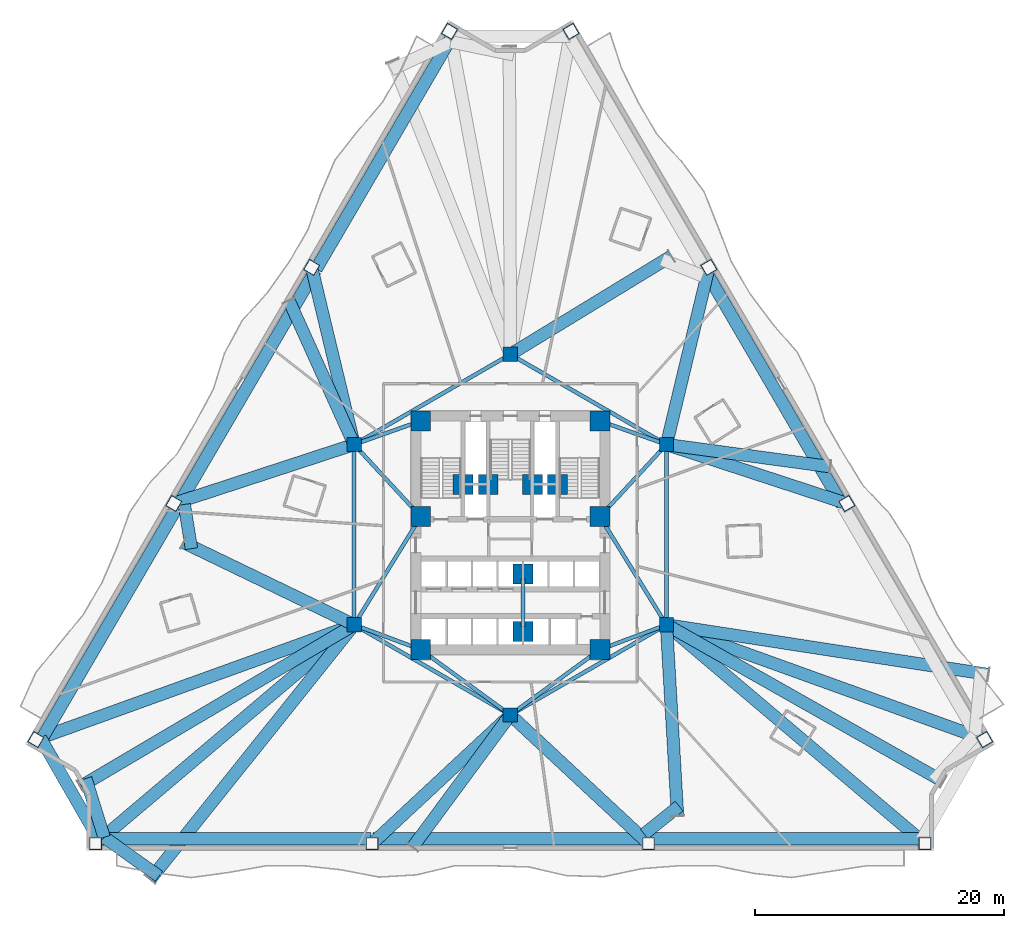
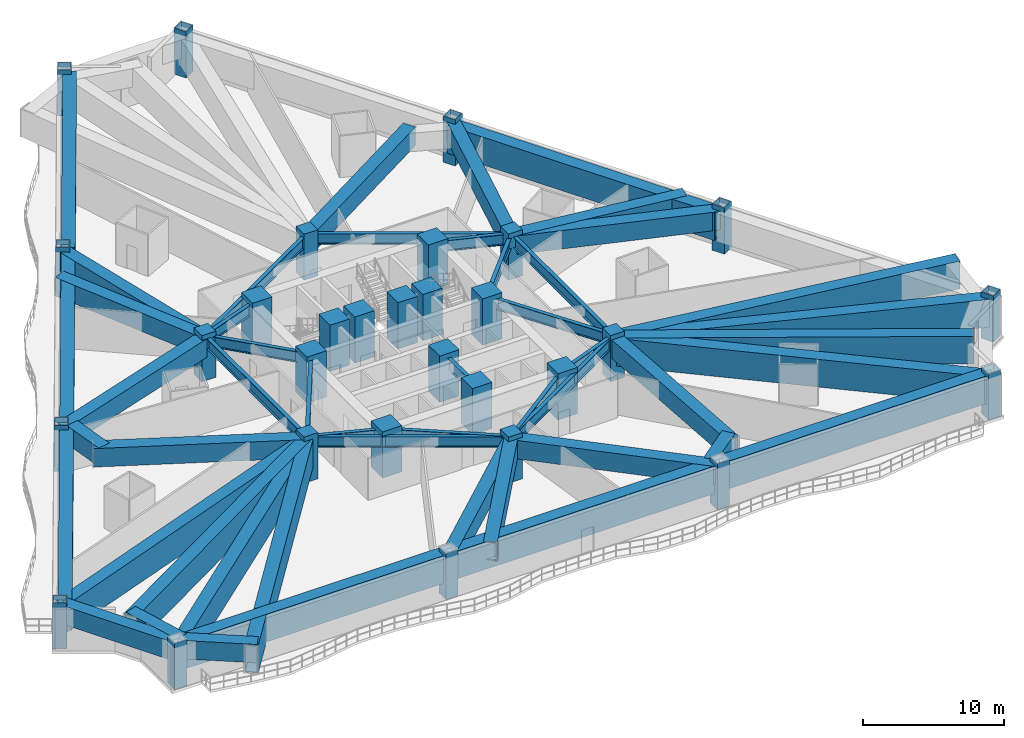
# One storey, part 1 of 16: 49 beams, 30 columns.
"""IFC4 building model written with IfcOpenShell, lengths in metres."""

from ifc_helpers import new_model, si_unit, direction, frame, origin, origin_2d, place, context, subcontext, project, spatial, rectangle, hollow_rectangle, i_section, extrude, material, material_profile, profile_set, type_object, element, save


model = new_model("IFC4")

# Units and contexts
model_context = context("Model", 3, precision=1e-05, world=origin(), true_north=direction((0.0, 1.0)))
body_context = subcontext(model_context, "Body", "Model", "MODEL_VIEW")
ifc_project = project(units=[si_unit("LENGTHUNIT", "METRE"), si_unit("AREAUNIT", "SQUARE_METRE"), si_unit("VOLUMEUNIT", "CUBIC_METRE"), si_unit("PLANEANGLEUNIT", "RADIAN"), si_unit("MASSUNIT", "GRAM", prefix="KILO")], contexts=[model_context])

# Site, building, storey
site_placement = place(None, origin())
site = spatial("IfcSite", under=ifc_project, at=site_placement, CompositionType="ELEMENT")
building_placement = place(site_placement, origin())
building = spatial("IfcBuilding", under=site, at=building_placement, Name="Apsidion Concourse Tower", CompositionType="ELEMENT")
storey_placement = place(building_placement, frame((0.0, 0.0, 58.39990234375)))
storey = spatial("IfcBuildingStorey", under=building, at=storey_placement, Name="L12", CompositionType="ELEMENT", Elevation=58.39990234375)

# Columns
ifc_material_1 = material(Name="Structural steel ASTM A572 Grade 50", Category="steel")
ifc_material_profile_1 = material_profile(ifc_material_1, hollow_rectangle(XDim=1.0, YDim=1.0, WallThickness=0.06005859375, at=origin_2d()), Name="BOX1000X1000X60")
ifc_profile_set_1 = profile_set([ifc_material_profile_1], Name="Structural steel ASTM A572 Grade 50")
column_type_1 = type_object("IfcColumnType", Name="COL-BOX-1000", PredefinedType="COLUMN", material=ifc_profile_set_1)
for number, where, z_axis, x_axis, name in (
    (1, (-4.887451171875, 40.481201171875, 0.0), (0.0, 0.0, 1.0), (0.50437692518, 0.863483594138, 0.0), "L12 Rotated Perimeter Column PC01"),
    (2, (-15.976318359375, 21.49365234375, 0.0), (0.0, 0.0, 1.0), (0.50437692518, 0.863483594138, 0.0), "L12 Rotated Perimeter Column PC02"),
    (3, (-27.065185546875, 2.50634765625, 0.0), (0.0, 0.0, 1.0), (0.50437692518, 0.863483594138, 0.0), "L12 Rotated Perimeter Column PC03"),
    (4, (-38.154052734375, -16.481201171875, 0.0), (0.0, 0.0, 1.0), (0.50437692518, 0.863483594138, 0.0), "L12 Rotated Perimeter Column PC04"),
    (5, (-33.35009765625, -24.85009765625, 0.0), (0.0, 0.0, 1.0), (1.0, 0.0, 0.0), "L12 Rotated Perimeter Column PC05"),
    (6, (-11.11669921875, -24.85009765625, 0.0), (0.0, 0.0, 1.0), (1.0, 0.0, 0.0), "L12 Rotated Perimeter Column PC06"),
    (7, (11.11669921875, -24.85009765625, 0.0), (0.0, 0.0, 1.0), (1.0, 0.0, 0.0), "L12 Rotated Perimeter Column PC07"),
    (8, (33.35009765625, -24.85009765625, 0.0), (0.0, 0.0, 1.0), (1.0, 0.0, 0.0), "L12 Rotated Perimeter Column PC08"),
    (9, (38.154052734375, -16.481201171875, 0.0), (0.0, 0.0, 1.0), (-0.50437692518, 0.863483594138, 0.0), "L12 Rotated Perimeter Column PC09"),
    (10, (27.065185546875, 2.50634765625, 0.0), (0.0, 0.0, 1.0), (-0.50437692518, 0.863483594138, 0.0), "L12 Rotated Perimeter Column PC10"),
    (11, (15.976318359375, 21.49365234375, 0.0), (0.0, 0.0, 1.0), (-0.50437692518, 0.863483594138, 0.0), "L12 Rotated Perimeter Column PC11"),
    (12, (4.887451171875, 40.481201171875, 0.0), (0.0, 0.0, 1.0), (-0.50437692518, 0.863483594138, 0.0), "L12 Rotated Perimeter Column PC12"),
):
    element("IfcColumn", number, at=place(storey_placement, frame(where, z_axis=z_axis, x_axis=x_axis)), inside=storey, type_object=column_type_1, Name=name, PredefinedType="COLUMN", context=body_context, shape_type="SweptSolid", body=[
        extrude(hollow_rectangle(XDim=1.0, YDim=1.0, WallThickness=0.06005859375, at=origin_2d()), origin(), (0.0, 0.0, 1.0), 4.0),
    ])
ifc_material_2 = material(Name="Concrete C50/60", Category="concrete")
ifc_material_profile_2 = material_profile(ifc_material_2, rectangle(XDim=1.14990234375, YDim=1.14990234375, at=origin_2d()), Name="RC 1150x1150")
ifc_profile_set_2 = profile_set([ifc_material_profile_2], Name="Concrete C50/60")
column_type_2 = type_object("IfcColumnType", Name="COL-RC-1150", PredefinedType="COLUMN", material=ifc_profile_set_2)
for number, where, z_axis, x_axis, name in (
    (13, (-12.56005859375, -7.25, 0.0), (0.0, 0.0, 1.0), (1.0, 0.0, 0.0), "L12 Interior Spine Column IC1"),
    (14, (12.56005859375, -7.25, 0.0), (0.0, 0.0, 1.0), (1.0, 0.0, 0.0), "L12 Interior Spine Column IC2"),
    (15, (12.56005859375, 7.25, 0.0), (0.0, 0.0, 1.0), (1.0, 0.0, 0.0), "L12 Interior Spine Column IC3"),
    (16, (0.0, 14.5, 0.0), (0.0, 0.0, 1.0), (1.0, 0.0, 0.0), "L12 Interior Spine Column IC4"),
    (17, (-12.56005859375, 7.25, 0.0), (0.0, 0.0, 1.0), (1.0, 0.0, 0.0), "L12 Interior Spine Column IC5"),
    (18, (0.0, -14.5, 0.0), (0.0, 0.0, 1.0), (1.0, 0.0, 0.0), "L12 Interior Spine Column IC6"),
):
    element("IfcColumn", number, at=place(storey_placement, frame(where, z_axis=z_axis, x_axis=x_axis)), inside=storey, type_object=column_type_2, Name=name, PredefinedType="COLUMN", context=body_context, shape_type="SweptSolid", body=[
        extrude(rectangle(XDim=1.14990234375, YDim=1.14990234375, at=origin_2d()), origin(), (0.0, 0.0, 1.0), 4.0),
    ])
ifc_material_3 = material(Name="Concrete C60/75", Category="concrete")
ifc_material_profile_3 = material_profile(ifc_material_3, rectangle(XDim=1.60009765625, YDim=1.60009765625, at=origin_2d()), Name="RC 1600x1600")
ifc_profile_set_3 = profile_set([ifc_material_profile_3], Name="Concrete C60/75")
column_type_3 = type_object("IfcColumnType", Name="COL-RC-1600", PredefinedType="COLUMN", material=ifc_profile_set_3)
for number, where, z_axis, x_axis, name in (
    (19, (-7.199951171875, -9.25, 0.0), (0.0, 0.0, 1.0), (1.0, 0.0, 0.0), "L12 Core Super-Column SC1"),
    (20, (7.199951171875, -9.25, 0.0), (0.0, 0.0, 1.0), (1.0, 0.0, 0.0), "L12 Core Super-Column SC2"),
    (21, (7.199951171875, 1.449951171875, 0.0), (0.0, 0.0, 1.0), (1.0, 0.0, 0.0), "L12 Core Super-Column SC3"),
    (22, (7.199951171875, 9.14990234375, 0.0), (0.0, 0.0, 1.0), (1.0, 0.0, 0.0), "L12 Core Super-Column SC4"),
    (23, (-7.199951171875, 9.14990234375, 0.0), (0.0, 0.0, 1.0), (1.0, 0.0, 0.0), "L12 Core Super-Column SC5"),
    (24, (-7.199951171875, 1.449951171875, 0.0), (0.0, 0.0, 1.0), (1.0, 0.0, 0.0), "L12 Core Super-Column SC6"),
    (25, (-3.800048828125, 4.050048828125, 0.0), (0.0, 0.0, 1.0), (1.0, 0.0, 0.0), "L12 Core Super-Column CC1"),
    (26, (3.800048828125, 4.050048828125, 0.0), (0.0, 0.0, 1.0), (1.0, 0.0, 0.0), "L12 Core Super-Column CC2"),
    (27, (-1.77490234375, 4.050048828125, 0.0), (0.0, 0.0, 1.0), (1.0, 0.0, 0.0), "L12 Core Super-Column CC3"),
    (28, (1.77490234375, 4.050048828125, 0.0), (0.0, 0.0, 1.0), (1.0, 0.0, 0.0), "L12 Core Super-Column CC4"),
    (29, (1.02490234375, -3.14990234375, 0.0), (0.0, 0.0, 1.0), (1.0, 0.0, 0.0), "L12 Core Super-Column CC5"),
    (30, (1.02490234375, -7.800048828125, 0.0), (0.0, 0.0, 1.0), (1.0, 0.0, 0.0), "L12 Core Super-Column CC6"),
):
    element("IfcColumn", number, at=place(storey_placement, frame(where, z_axis=z_axis, x_axis=x_axis)), inside=storey, type_object=column_type_3, Name=name, PredefinedType="COLUMN", context=body_context, shape_type="SweptSolid", body=[
        extrude(rectangle(XDim=1.60009765625, YDim=1.60009765625, at=origin_2d()), origin(), (0.0, 0.0, 1.0), 4.0),
    ])

# Beams
ifc_material_4 = material(Name="Structural steel ASTM A992 Grade 50", Category="steel")
ifc_material_profile_4 = material_profile(ifc_material_4, i_section(OverallWidth=0.31005859375, OverallDepth=0.931884765625, WebThickness=0.02099609375, FlangeThickness=0.034423828125, at=origin_2d()), Name="W36X210")
ifc_profile_set_4 = profile_set([ifc_material_profile_4], Name="Structural steel ASTM A992 Grade 50")
beam_type_1 = type_object("IfcBeamType", Name="BM-G-W36", PredefinedType="USERDEFINED", material=ifc_profile_set_4)
beam_1_placement = place(storey_placement, frame((-12.185302734375, -7.389892578125, 3.134033203125), z_axis=(0.936913021145, -0.349562570664, 0.0), x_axis=(0.349562570664, 0.936913021145, 0.0)))
element("IfcBeam", 31, at=beam_1_placement, inside=storey, type_object=beam_type_1, Name="L12 Core Coupling Girder IC1-SC1", ObjectType="GIRDER", PredefinedType="USERDEFINED", context=body_context, shape_type="SweptSolid", body=[
    extrude(i_section(OverallWidth=0.31005859375, OverallDepth=0.931884765625, WebThickness=0.02099609375, FlangeThickness=0.034423828125, at=origin_2d()), origin(), (0.0, 0.0, 1.0), 4.921142578125),
])
beam_2_placement = place(storey_placement, frame((-12.35009765625, -6.909423828125, 3.134033203125), z_axis=(0.524524009763, 0.851395656074, 0.0), x_axis=(-0.851395656074, 0.524524009763, 0.0)))
element("IfcBeam", 32, at=beam_2_placement, inside=storey, type_object=beam_type_1, Name="L12 Core Coupling Girder IC1-SC6", ObjectType="GIRDER", PredefinedType="USERDEFINED", context=body_context, shape_type="SweptSolid", body=[
    extrude(i_section(OverallWidth=0.31005859375, OverallDepth=0.931884765625, WebThickness=0.02099609375, FlangeThickness=0.034423828125, at=origin_2d()), origin(), (0.0, 0.0, 1.0), 9.41845703125),
])
beam_3_placement = place(storey_placement, frame((12.185302734375, -7.389892578125, 3.134033203125), z_axis=(-0.936913021145, -0.349562570664, 0.0), x_axis=(0.349562570664, -0.936913021145, 0.0)))
element("IfcBeam", 33, at=beam_3_placement, inside=storey, type_object=beam_type_1, Name="L12 Core Coupling Girder IC2-SC2", ObjectType="GIRDER", PredefinedType="USERDEFINED", context=body_context, shape_type="SweptSolid", body=[
    extrude(i_section(OverallWidth=0.31005859375, OverallDepth=0.931884765625, WebThickness=0.02099609375, FlangeThickness=0.034423828125, at=origin_2d()), origin(), (0.0, 0.0, 1.0), 4.921142578125),
])
beam_4_placement = place(storey_placement, frame((12.35009765625, -6.909423828125, 3.134033203125), z_axis=(-0.524524009763, 0.851395656074, 0.0), x_axis=(-0.851395656074, -0.524524009763, 0.0)))
element("IfcBeam", 34, at=beam_4_placement, inside=storey, type_object=beam_type_1, Name="L12 Core Coupling Girder IC2-SC3", ObjectType="GIRDER", PredefinedType="USERDEFINED", context=body_context, shape_type="SweptSolid", body=[
    extrude(i_section(OverallWidth=0.31005859375, OverallDepth=0.931884765625, WebThickness=0.02099609375, FlangeThickness=0.034423828125, at=origin_2d()), origin(), (0.0, 0.0, 1.0), 9.41845703125),
])
beam_5_placement = place(storey_placement, frame((12.28857421875, 6.956298828125, 3.134033203125), z_axis=(-0.678712876106, -0.73440372535, 0.0), x_axis=(0.73440372535, -0.678712876106, 0.0)))
element("IfcBeam", 35, at=beam_5_placement, inside=storey, type_object=beam_type_1, Name="L12 Core Coupling Girder IC3-SC3", ObjectType="GIRDER", PredefinedType="USERDEFINED", context=body_context, shape_type="SweptSolid", body=[
    extrude(i_section(OverallWidth=0.31005859375, OverallDepth=0.931884765625, WebThickness=0.02099609375, FlangeThickness=0.034423828125, at=origin_2d()), origin(), (0.0, 0.0, 1.0), 7.097412109375),
])
beam_6_placement = place(storey_placement, frame((12.18310546875, 7.383544921875, 3.134033203125), z_axis=(-0.942533844539, 0.334110688094, 0.0), x_axis=(-0.334110688094, -0.942533844539, 0.0)))
element("IfcBeam", 36, at=beam_6_placement, inside=storey, type_object=beam_type_1, Name="L12 Core Coupling Girder IC3-SC4", ObjectType="GIRDER", PredefinedType="USERDEFINED", context=body_context, shape_type="SweptSolid", body=[
    extrude(i_section(OverallWidth=0.31005859375, OverallDepth=0.931884765625, WebThickness=0.02099609375, FlangeThickness=0.034423828125, at=origin_2d()), origin(), (0.0, 0.0, 1.0), 4.886962890625),
])
beam_7_placement = place(storey_placement, frame((-12.28857421875, 6.956298828125, 3.134033203125), z_axis=(0.678712876106, -0.73440372535, 0.0), x_axis=(0.73440372535, 0.678712876106, 0.0)))
element("IfcBeam", 37, at=beam_7_placement, inside=storey, type_object=beam_type_1, Name="L12 Core Coupling Girder IC5-SC6", ObjectType="GIRDER", PredefinedType="USERDEFINED", context=body_context, shape_type="SweptSolid", body=[
    extrude(i_section(OverallWidth=0.31005859375, OverallDepth=0.931884765625, WebThickness=0.02099609375, FlangeThickness=0.034423828125, at=origin_2d()), origin(), (0.0, 0.0, 1.0), 7.097412109375),
])
beam_8_placement = place(storey_placement, frame((-12.18310546875, 7.383544921875, 3.134033203125), z_axis=(0.942533844539, 0.334110688094, 0.0), x_axis=(-0.334110688094, 0.942533844539, 0.0)))
element("IfcBeam", 38, at=beam_8_placement, inside=storey, type_object=beam_type_1, Name="L12 Core Coupling Girder IC5-SC5", ObjectType="GIRDER", PredefinedType="USERDEFINED", context=body_context, shape_type="SweptSolid", body=[
    extrude(i_section(OverallWidth=0.31005859375, OverallDepth=0.931884765625, WebThickness=0.02099609375, FlangeThickness=0.034423828125, at=origin_2d()), origin(), (0.0, 0.0, 1.0), 4.886962890625),
])
for number, where, z_axis, x_axis, name in (
    (39, (-0.3232421875, -14.264404296875, 3.134033203125), (-0.807993498909, 0.589191399905, 0.0), (-0.589191399905, -0.807993498909, 0.0), "L12 Core Coupling Girder IC6-SC1"),
    (40, (0.3232421875, -14.264404296875, 3.134033203125), (0.807993498909, 0.589191399905, 0.0), (-0.589191399905, 0.807993498909, 0.0), "L12 Core Coupling Girder IC6-SC2"),
):
    element("IfcBeam", number, at=place(storey_placement, frame(where, z_axis=z_axis, x_axis=x_axis)), inside=storey, type_object=beam_type_1, Name=name, ObjectType="GIRDER", PredefinedType="USERDEFINED", context=body_context, shape_type="SweptSolid", body=[
        extrude(i_section(OverallWidth=0.31005859375, OverallDepth=0.931884765625, WebThickness=0.02099609375, FlangeThickness=0.034423828125, at=origin_2d()), origin(), (0.0, 0.0, 1.0), 8.11083984375),
    ])
beam_9_placement = place(storey_placement, frame((-12.56005859375, -6.85009765625, 3.134033203125), z_axis=(0.0, 1.0, 0.0), x_axis=(-1.0, 0.0, 0.0)))
element("IfcBeam", 41, at=beam_9_placement, inside=storey, type_object=beam_type_1, Name="L12 Core Coupling Girder IC1-IC5", ObjectType="GIRDER", PredefinedType="USERDEFINED", context=body_context, shape_type="SweptSolid", body=[
    extrude(i_section(OverallWidth=0.31005859375, OverallDepth=0.931884765625, WebThickness=0.02099609375, FlangeThickness=0.034423828125, at=origin_2d()), origin(), (0.0, 0.0, 1.0), 13.7001953125),
])
for number, where, z_axis, x_axis, name in (
    (42, (-12.213623046875, 7.449951171875, 3.134033203125), (0.866070471464, 0.499921932364, 0.0), (-0.499921932364, 0.866070471464, 0.0), "L12 Core Coupling Girder IC5-IC4"),
    (43, (0.346435546875, 14.300048828125, 3.134033203125), (0.866070471464, -0.499921932364, 0.0), (0.499921932364, 0.866070471464, 0.0), "L12 Core Coupling Girder IC4-IC3"),
):
    element("IfcBeam", number, at=place(storey_placement, frame(where, z_axis=z_axis, x_axis=x_axis)), inside=storey, type_object=beam_type_1, Name=name, ObjectType="GIRDER", PredefinedType="USERDEFINED", context=body_context, shape_type="SweptSolid", body=[
        extrude(i_section(OverallWidth=0.31005859375, OverallDepth=0.931884765625, WebThickness=0.02099609375, FlangeThickness=0.034423828125, at=origin_2d()), origin(), (0.0, 0.0, 1.0), 13.702392578125),
    ])
beam_10_placement = place(storey_placement, frame((12.56005859375, 6.85009765625, 3.134033203125), z_axis=(0.0, -1.0, 0.0), x_axis=(1.0, 0.0, 0.0)))
element("IfcBeam", 44, at=beam_10_placement, inside=storey, type_object=beam_type_1, Name="L12 Core Coupling Girder IC3-IC2", ObjectType="GIRDER", PredefinedType="USERDEFINED", context=body_context, shape_type="SweptSolid", body=[
    extrude(i_section(OverallWidth=0.31005859375, OverallDepth=0.931884765625, WebThickness=0.02099609375, FlangeThickness=0.034423828125, at=origin_2d()), origin(), (0.0, 0.0, 1.0), 13.7001953125),
])
for number, where, z_axis, x_axis, name in (
    (45, (12.213623046875, -7.449951171875, 3.134033203125), (-0.866070471464, -0.499921932364, 0.0), (0.499921932364, -0.866070471464, 0.0), "L12 Core Coupling Girder IC2-IC6"),
    (46, (-0.346435546875, -14.300048828125, 3.134033203125), (-0.866070471464, 0.499921932364, 0.0), (-0.499921932364, -0.866070471464, 0.0), "L12 Core Coupling Girder IC6-IC1"),
):
    element("IfcBeam", number, at=place(storey_placement, frame(where, z_axis=z_axis, x_axis=x_axis)), inside=storey, type_object=beam_type_1, Name=name, ObjectType="GIRDER", PredefinedType="USERDEFINED", context=body_context, shape_type="SweptSolid", body=[
        extrude(i_section(OverallWidth=0.31005859375, OverallDepth=0.931884765625, WebThickness=0.02099609375, FlangeThickness=0.034423828125, at=origin_2d()), origin(), (0.0, 0.0, 1.0), 13.702392578125),
    ])
beam_11_placement = place(storey_placement, frame((1.02490234375, -3.550048828125, 3.134033203125), z_axis=(0.0, -1.0, 0.0), x_axis=(1.0, 0.0, 0.0)))
element("IfcBeam", 47, at=beam_11_placement, inside=storey, type_object=beam_type_1, Name="L12 Core Coupling Girder CC5-CC6", ObjectType="GIRDER", PredefinedType="USERDEFINED", context=body_context, shape_type="SweptSolid", body=[
    extrude(i_section(OverallWidth=0.31005859375, OverallDepth=0.931884765625, WebThickness=0.02099609375, FlangeThickness=0.034423828125, at=origin_2d()), origin(), (0.0, 0.0, 1.0), 3.849853515625),
])
ifc_material_profile_5 = material_profile(ifc_material_1, hollow_rectangle(XDim=1.0, YDim=1.60009765625, WallThickness=0.074951171875, at=origin_2d()), Name="BOX1600X1000X75")
ifc_profile_set_5 = profile_set([ifc_material_profile_5], Name="Structural steel ASTM A572 Grade 50")
beam_type_2 = type_object("IfcBeamType", Name="BM-TR-1600", PredefinedType="USERDEFINED", material=ifc_profile_set_5)
beam_12_placement = place(storey_placement, frame((-37.78466796875, -16.361328125, 2.800048828125), z_axis=(0.497847451586, -0.867264616452, 0.0), x_axis=(0.867264616452, 0.497847451586, 0.0)))
element("IfcBeam", 48, at=beam_12_placement, inside=storey, type_object=beam_type_2, Name="L12 Perimeter Spandrel Girder SP-04", ObjectType="GIRDER", PredefinedType="USERDEFINED", context=body_context, shape_type="SweptSolid", body=[
    extrude(hollow_rectangle(XDim=1.0, YDim=1.60009765625, WallThickness=0.074951171875, at=origin_2d()), origin(), (0.0, 0.0, 1.0), 9.489501953125),
])
beam_13_placement = place(storey_placement, frame((-12.611328125, 7.4638671875, 2.800048828125), z_axis=(-0.233222788681, 0.972423329029, 0.0), x_axis=(-0.972423329029, -0.233222788681, 0.0)))
element("IfcBeam", 49, at=beam_13_placement, inside=storey, type_object=beam_type_2, Name="L12 Radial Floor Girder RAD-02", ObjectType="GIRDER", PredefinedType="USERDEFINED", context=body_context, shape_type="SweptSolid", body=[
    extrude(hollow_rectangle(XDim=1.0, YDim=1.60009765625, WallThickness=0.074951171875, at=origin_2d()), origin(), (0.0, 0.0, 1.0), 14.32763671875),
])
beam_14_placement = place(storey_placement, frame((-12.76904296875, 7.181640625, 2.800048828125), z_axis=(-0.950463764957, -0.310835376853, 0.0), x_axis=(0.310835376853, -0.950463764957, 0.0)))
element("IfcBeam", 50, at=beam_14_placement, inside=storey, type_object=beam_type_2, Name="L12 Radial Floor Girder RAD-03", ObjectType="GIRDER", PredefinedType="USERDEFINED", context=body_context, shape_type="SweptSolid", body=[
    extrude(hollow_rectangle(XDim=1.0, YDim=1.60009765625, WallThickness=0.074951171875, at=origin_2d()), origin(), (0.0, 0.0, 1.0), 14.94140625),
])
for number, where, z_axis, x_axis, name in (
    (51, (-0.160888671875, -14.64990234375, 2.800048828125), (-0.731892844946, -0.681419741068, 0.0), (0.681419741068, -0.731892844946, 0.0), "L12 Radial Floor Girder RAD-06"),
    (52, (0.160888671875, -14.64990234375, 2.800048828125), (0.731892844946, -0.681419741068, 0.0), (0.681419741068, 0.731892844946, 0.0), "L12 Radial Floor Girder RAD-07"),
):
    element("IfcBeam", number, at=place(storey_placement, frame(where, z_axis=z_axis, x_axis=x_axis)), inside=storey, type_object=beam_type_2, Name=name, ObjectType="GIRDER", PredefinedType="USERDEFINED", context=body_context, shape_type="SweptSolid", body=[
        extrude(hollow_rectangle(XDim=1.0, YDim=1.60009765625, WallThickness=0.074951171875, at=origin_2d()), origin(), (0.0, 0.0, 1.0), 14.869140625),
    ])
beam_15_placement = place(storey_placement, frame((12.76904296875, 7.181640625, 2.800048828125), z_axis=(0.950463764957, -0.310835376853, 0.0), x_axis=(0.310835376853, 0.950463764957, 0.0)))
element("IfcBeam", 53, at=beam_15_placement, inside=storey, type_object=beam_type_2, Name="L12 Radial Floor Girder RAD-10", ObjectType="GIRDER", PredefinedType="USERDEFINED", context=body_context, shape_type="SweptSolid", body=[
    extrude(hollow_rectangle(XDim=1.0, YDim=1.60009765625, WallThickness=0.074951171875, at=origin_2d()), origin(), (0.0, 0.0, 1.0), 14.94140625),
])
beam_16_placement = place(storey_placement, frame((12.611328125, 7.4638671875, 2.800048828125), z_axis=(0.233222788681, 0.972423329029, 0.0), x_axis=(-0.972423329029, 0.233222788681, 0.0)))
element("IfcBeam", 54, at=beam_16_placement, inside=storey, type_object=beam_type_2, Name="L12 Radial Floor Girder RAD-11", ObjectType="GIRDER", PredefinedType="USERDEFINED", context=body_context, shape_type="SweptSolid", body=[
    extrude(hollow_rectangle(XDim=1.0, YDim=1.60009765625, WallThickness=0.074951171875, at=origin_2d()), origin(), (0.0, 0.0, 1.0), 14.32763671875),
])
beam_17_placement = place(storey_placement, frame((-12.68359375, 7.523193359375, 2.800048828125), z_axis=(-0.412236399188, 0.911076918369, 0.0), x_axis=(-0.911076918369, -0.412236399188, 0.0)))
element("IfcBeam", 55, at=beam_17_placement, inside=storey, type_object=beam_type_2, Name="L12 Block-Step Radial Transfer Girder NTR-02", ObjectType="GIRDER", PredefinedType="USERDEFINED", context=body_context, shape_type="SweptSolid", body=[
    extrude(hollow_rectangle(XDim=1.0, YDim=1.60009765625, WallThickness=0.074951171875, at=origin_2d()), origin(), (0.0, 0.0, 1.0), 12.392578125),
])
beam_18_placement = place(storey_placement, frame((-12.830078125, -7.11962890625, 2.800048828125), z_axis=(-0.900613042817, 0.4346218438, 0.0), x_axis=(-0.4346218438, -0.900613042817, 0.0)))
element("IfcBeam", 56, at=beam_18_placement, inside=storey, type_object=beam_type_2, Name="L12 Block-Step Radial Transfer Girder NTR-03", ObjectType="GIRDER", PredefinedType="USERDEFINED", context=body_context, shape_type="SweptSolid", body=[
    extrude(hollow_rectangle(XDim=1.0, YDim=1.60009765625, WallThickness=0.074951171875, at=origin_2d()), origin(), (0.0, 0.0, 1.0), 14.919677734375),
])
beam_19_placement = place(storey_placement, frame((-26.21875, 2.427978515625, 2.800048828125), z_axis=(0.159138598758, -0.987256251631, 0.0), x_axis=(0.987256251631, 0.159138598758, 0.0)))
element("IfcBeam", 57, at=beam_19_placement, inside=storey, type_object=beam_type_2, Name="L12 Block-Step Perimeter Transfer Bridge NBR-03", ObjectType="GIRDER", PredefinedType="USERDEFINED", context=body_context, shape_type="SweptSolid", body=[
    extrude(hollow_rectangle(XDim=1.0, YDim=1.60009765625, WallThickness=0.074951171875, at=origin_2d()), origin(), (0.0, 0.0, 1.0), 3.59912109375),
])
beam_20_placement = place(storey_placement, frame((-32.66845703125, -24.342041015625, 2.800048828125), z_axis=(-0.297582342217, 0.954696155644, 0.0), x_axis=(-0.954696155644, -0.297582342217, 0.0)))
element("IfcBeam", 58, at=beam_20_placement, inside=storey, type_object=beam_type_2, Name="L12 Block-Step Perimeter Transfer Bridge NBR-04", ObjectType="GIRDER", PredefinedType="USERDEFINED", context=body_context, shape_type="SweptSolid", body=[
    extrude(hollow_rectangle(XDim=1.0, YDim=1.60009765625, WallThickness=0.074951171875, at=origin_2d()), origin(), (0.0, 0.0, 1.0), 4.957763671875),
])
beam_21_placement = place(storey_placement, frame((-32.66845703125, -24.342041015625, 2.800048828125), z_axis=(0.815037306812, -0.579408481561, 0.0), x_axis=(0.579408481561, 0.815037306812, 0.0)))
element("IfcBeam", 59, at=beam_21_placement, inside=storey, type_object=beam_type_2, Name="L12 Block-Step Perimeter Transfer Bridge NBR-05", ObjectType="GIRDER", PredefinedType="USERDEFINED", context=body_context, shape_type="SweptSolid", body=[
    extrude(hollow_rectangle(XDim=1.0, YDim=1.60009765625, WallThickness=0.074951171875, at=origin_2d()), origin(), (0.0, 0.0, 1.0), 5.406494140625),
])
beam_22_placement = place(storey_placement, frame((-0.17822265625, -14.7412109375, 2.800048828125), z_axis=(-0.594022904291, -0.804448127089, 0.0), x_axis=(0.804448127089, -0.594022904291, 0.0)))
element("IfcBeam", 60, at=beam_22_placement, inside=storey, type_object=beam_type_2, Name="L12 Block-Step Radial Transfer Girder NTR-06", ObjectType="GIRDER", PredefinedType="USERDEFINED", context=body_context, shape_type="SweptSolid", body=[
    extrude(hollow_rectangle(XDim=1.0, YDim=1.60009765625, WallThickness=0.074951171875, at=origin_2d()), origin(), (0.0, 0.0, 1.0), 12.923828125),
])
beam_23_placement = place(storey_placement, frame((12.577392578125, -7.549560546875, 2.800048828125), z_axis=(0.058055393428, -0.998313363275, 0.0), x_axis=(0.998313363275, 0.058055393428, 0.0)))
element("IfcBeam", 61, at=beam_23_placement, inside=storey, type_object=beam_type_2, Name="L12 Block-Step Radial Transfer Girder NTR-07", ObjectType="GIRDER", PredefinedType="USERDEFINED", context=body_context, shape_type="SweptSolid", body=[
    extrude(hollow_rectangle(XDim=1.0, YDim=1.60009765625, WallThickness=0.074951171875, at=origin_2d()), origin(), (0.0, 0.0, 1.0), 15.0927734375),
])
beam_24_placement = place(storey_placement, frame((10.76953125, -24.07421875, 2.800048828125), z_axis=(0.781908892901, 0.623392719882, 0.0), x_axis=(-0.623392719882, 0.781908892901, 0.0)))
element("IfcBeam", 62, at=beam_24_placement, inside=storey, type_object=beam_type_2, Name="L12 Block-Step Perimeter Transfer Bridge NBR-07", ObjectType="GIRDER", PredefinedType="USERDEFINED", context=body_context, shape_type="SweptSolid", body=[
    extrude(hollow_rectangle(XDim=1.0, YDim=1.60009765625, WallThickness=0.074951171875, at=origin_2d()), origin(), (0.0, 0.0, 1.0), 3.591552734375),
])
beam_25_placement = place(storey_placement, frame((12.857421875, 7.209716796875, 2.800048828125), z_axis=(0.990946219363, -0.13425941431, 0.0), x_axis=(0.13425941431, 0.990946219363, 0.0)))
element("IfcBeam", 63, at=beam_25_placement, inside=storey, type_object=beam_type_2, Name="L12 Block-Step Radial Transfer Girder NTR-10", ObjectType="GIRDER", PredefinedType="USERDEFINED", context=body_context, shape_type="SweptSolid", body=[
    extrude(hollow_rectangle(XDim=1.0, YDim=1.60009765625, WallThickness=0.074951171875, at=origin_2d()), origin(), (0.0, 0.0, 1.0), 12.97802734375),
])
beam_26_placement = place(storey_placement, frame((0.256103515625, 14.65625, 2.800048828125), z_axis=(0.853747923507, 0.520686549766, 0.0), x_axis=(-0.520686549766, 0.853747923507, 0.0)))
element("IfcBeam", 64, at=beam_26_placement, inside=storey, type_object=beam_type_2, Name="L12 Block-Step Radial Transfer Girder NTR-11", ObjectType="GIRDER", PredefinedType="USERDEFINED", context=body_context, shape_type="SweptSolid", body=[
    extrude(hollow_rectangle(XDim=1.0, YDim=1.60009765625, WallThickness=0.074951171875, at=origin_2d()), origin(), (0.0, 0.0, 1.0), 14.866455078125),
])
ifc_material_profile_6 = material_profile(ifc_material_1, hollow_rectangle(XDim=1.0, YDim=2.39990234375, WallThickness=0.080078125, at=origin_2d()), Name="BOX2400X1000X80")
ifc_profile_set_6 = profile_set([ifc_material_profile_6], Name="Structural steel ASTM A572 Grade 50")
beam_type_3 = type_object("IfcBeamType", Name="BM-TR-2400", PredefinedType="USERDEFINED", material=ifc_profile_set_6)
beam_27_placement = place(storey_placement, frame((-4.599609375, 40.220458984375, 2.400146484375), z_axis=(-0.504309764366, -0.863522820524, 0.0), x_axis=(0.863522820524, -0.504309764366, 0.0)))
element("IfcBeam", 65, at=beam_27_placement, inside=storey, type_object=beam_type_3, Name="L12 Perimeter Spandrel Girder SP-01", ObjectType="GIRDER", PredefinedType="USERDEFINED", context=body_context, shape_type="SweptSolid", body=[
    extrude(hollow_rectangle(XDim=1.0, YDim=2.39990234375, WallThickness=0.080078125, at=origin_2d()), origin(), (0.0, 0.0, 1.0), 21.828369140625),
])
for number, where, z_axis, x_axis, name in (
    (66, (-15.6884765625, 21.23291015625, 2.400146484375), (-0.504314635071, -0.863519975943, 0.0), (0.863519975943, -0.504314635071, 0.0), "L12 Perimeter Spandrel Girder SP-02"),
    (67, (-26.77734375, 2.24560546875, 2.400146484375), (-0.504314635071, -0.863519975943, 0.0), (0.863519975943, -0.504314635071, 0.0), "L12 Perimeter Spandrel Girder SP-03"),
):
    element("IfcBeam", number, at=place(storey_placement, frame(where, z_axis=z_axis, x_axis=x_axis)), inside=storey, type_object=beam_type_3, Name=name, ObjectType="GIRDER", PredefinedType="USERDEFINED", context=body_context, shape_type="SweptSolid", body=[
        extrude(hollow_rectangle(XDim=1.0, YDim=2.39990234375, WallThickness=0.080078125, at=origin_2d()), origin(), (0.0, 0.0, 1.0), 21.828125),
    ])
for number, where, z_axis, x_axis, name in (
    (68, (-33.27001953125, -24.469970703125, 2.400146484375), (1.0, 0.0, 0.0), (0.0, 1.0, 0.0), "L12 Perimeter Spandrel Girder SP-05"),
    (69, (-11.03662109375, -24.469970703125, 2.400146484375), (1.0, 0.0, 0.0), (0.0, 1.0, 0.0), "L12 Perimeter Spandrel Girder SP-06"),
    (70, (11.19677734375, -24.469970703125, 2.400146484375), (1.0, 0.0, 0.0), (0.0, 1.0, 0.0), "L12 Perimeter Spandrel Girder SP-07"),
):
    element("IfcBeam", number, at=place(storey_placement, frame(where, z_axis=z_axis, x_axis=x_axis)), inside=storey, type_object=beam_type_3, Name=name, ObjectType="GIRDER", PredefinedType="USERDEFINED", context=body_context, shape_type="SweptSolid", body=[
        extrude(hollow_rectangle(XDim=1.0, YDim=2.39990234375, WallThickness=0.080078125, at=origin_2d()), origin(), (0.0, 0.0, 1.0), 22.0732421875),
    ])
beam_28_placement = place(storey_placement, frame((26.69677734375, 2.3837890625, 2.400146484375), z_axis=(-0.504314635071, 0.863519975943, 0.0), x_axis=(-0.863519975943, -0.504314635071, 0.0)))
element("IfcBeam", 71, at=beam_28_placement, inside=storey, type_object=beam_type_3, Name="L12 Perimeter Spandrel Girder SP-10", ObjectType="GIRDER", PredefinedType="USERDEFINED", context=body_context, shape_type="SweptSolid", body=[
    extrude(hollow_rectangle(XDim=1.0, YDim=2.39990234375, WallThickness=0.080078125, at=origin_2d()), origin(), (0.0, 0.0, 1.0), 21.828125),
])
beam_29_placement = place(storey_placement, frame((-12.76708984375, -7.32470703125, 2.400146484375), z_axis=(-0.940683635367, -0.339284980735, 0.0), x_axis=(0.339284980735, -0.940683635367, 0.0)))
element("IfcBeam", 72, at=beam_29_placement, inside=storey, type_object=beam_type_3, Name="L12 Radial Floor Girder RAD-04", ObjectType="GIRDER", PredefinedType="USERDEFINED", context=body_context, shape_type="SweptSolid", body=[
    extrude(hollow_rectangle(XDim=1.0, YDim=2.39990234375, WallThickness=0.080078125, at=origin_2d()), origin(), (0.0, 0.0, 1.0), 26.8876953125),
])
for number, where, z_axis, x_axis, name in (
    (73, (-12.727783203125, -7.39208984375, 2.400146484375), (-0.763233869038, -0.646122326772, 0.0), (0.646122326772, -0.763233869038, 0.0), "L12 Radial Floor Girder RAD-05"),
    (74, (12.727783203125, -7.39208984375, 2.400146484375), (0.763233869038, -0.646122326772, 0.0), (0.646122326772, 0.763233869038, 0.0), "L12 Radial Floor Girder RAD-08"),
):
    element("IfcBeam", number, at=place(storey_placement, frame(where, z_axis=z_axis, x_axis=x_axis)), inside=storey, type_object=beam_type_3, Name=name, ObjectType="GIRDER", PredefinedType="USERDEFINED", context=body_context, shape_type="SweptSolid", body=[
        extrude(hollow_rectangle(XDim=1.0, YDim=2.39990234375, WallThickness=0.080078125, at=origin_2d()), origin(), (0.0, 0.0, 1.0), 26.91943359375),
    ])
beam_30_placement = place(storey_placement, frame((12.76708984375, -7.32470703125, 2.400146484375), z_axis=(0.940683635367, -0.339284980735, 0.0), x_axis=(0.339284980735, 0.940683635367, 0.0)))
element("IfcBeam", 75, at=beam_30_placement, inside=storey, type_object=beam_type_3, Name="L12 Radial Floor Girder RAD-09", ObjectType="GIRDER", PredefinedType="USERDEFINED", context=body_context, shape_type="SweptSolid", body=[
    extrude(hollow_rectangle(XDim=1.0, YDim=2.39990234375, WallThickness=0.080078125, at=origin_2d()), origin(), (0.0, 0.0, 1.0), 26.8876953125),
])
beam_31_placement = place(storey_placement, frame((-12.818359375, -7.402587890625, 2.400146484375), z_axis=(-0.860933072897, -0.508718236347, 0.0), x_axis=(0.508718236347, -0.860933072897, 0.0)))
element("IfcBeam", 76, at=beam_31_placement, inside=storey, type_object=beam_type_3, Name="L12 Block-Step Radial Transfer Girder NTR-04", ObjectType="GIRDER", PredefinedType="USERDEFINED", context=body_context, shape_type="SweptSolid", body=[
    extrude(hollow_rectangle(XDim=1.0, YDim=2.39990234375, WallThickness=0.080078125, at=origin_2d()), origin(), (0.0, 0.0, 1.0), 25.249755859375),
])
beam_32_placement = place(storey_placement, frame((-12.74755859375, -7.484130859375, 2.400146484375), z_axis=(-0.624989069056, -0.780633501433, 0.0), x_axis=(0.780633501433, -0.624989069056, 0.0)))
element("IfcBeam", 77, at=beam_32_placement, inside=storey, type_object=beam_type_3, Name="L12 Block-Step Radial Transfer Girder NTR-05", ObjectType="GIRDER", PredefinedType="USERDEFINED", context=body_context, shape_type="SweptSolid", body=[
    extrude(hollow_rectangle(XDim=1.0, YDim=2.39990234375, WallThickness=0.080078125, at=origin_2d()), origin(), (0.0, 0.0, 1.0), 25.919189453125),
])
beam_33_placement = place(storey_placement, frame((12.821044921875, -7.397705078125, 2.400146484375), z_axis=(0.870218340035, -0.492666256879, 0.0), x_axis=(0.492666256879, 0.870218340035, 0.0)))
element("IfcBeam", 78, at=beam_33_placement, inside=storey, type_object=beam_type_3, Name="L12 Block-Step Radial Transfer Girder NTR-08", ObjectType="GIRDER", PredefinedType="USERDEFINED", context=body_context, shape_type="SweptSolid", body=[
    extrude(hollow_rectangle(XDim=1.0, YDim=2.39990234375, WallThickness=0.080078125, at=origin_2d()), origin(), (0.0, 0.0, 1.0), 25.278564453125),
])
beam_34_placement = place(storey_placement, frame((12.8564453125, -7.295654296875, 2.400146484375), z_axis=(0.988324764062, -0.152361939941, 0.0), x_axis=(0.152361939941, 0.988324764062, 0.0)))
element("IfcBeam", 79, at=beam_34_placement, inside=storey, type_object=beam_type_3, Name="L12 Block-Step Radial Transfer Girder NTR-09", ObjectType="GIRDER", PredefinedType="USERDEFINED", context=body_context, shape_type="SweptSolid", body=[
    extrude(hollow_rectangle(XDim=1.0, YDim=2.39990234375, WallThickness=0.080078125, at=origin_2d()), origin(), (0.0, 0.0, 1.0), 25.884765625),
])

save(model, "model.ifc")
